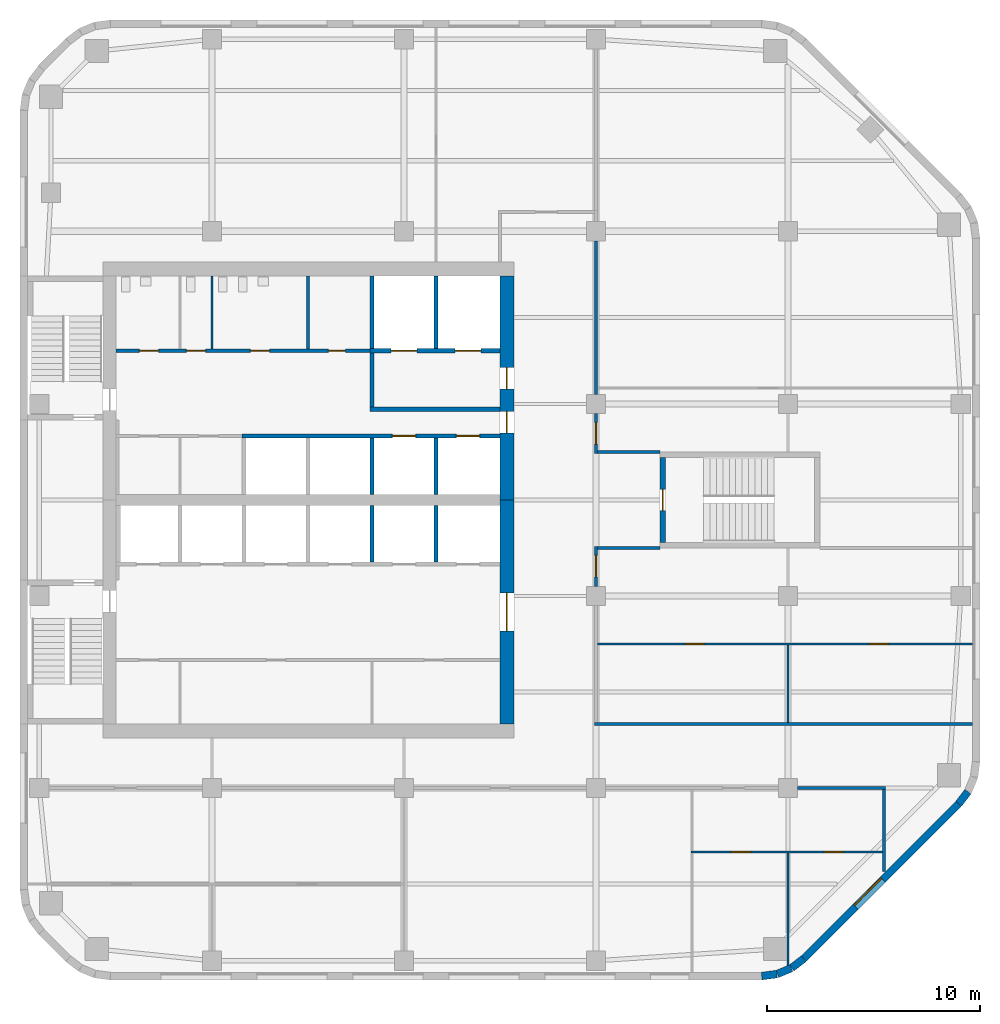
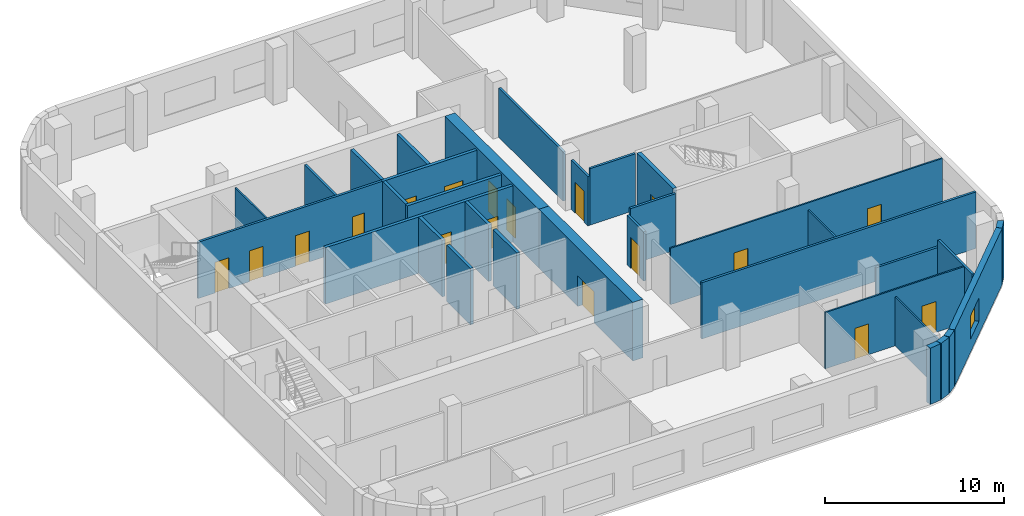
# One storey, part 4 of 7: 33 walls, 18 doors, 1 window, 19 openings.
"""IFC4 building model written with IfcOpenShell, lengths in metres."""

from ifc_helpers import new_model, si_unit, direction, frame, frame_2d, origin, place, context, subcontext, project, spatial, rectangle, extrude, material, layer, layer_set, type_object, element, fill, save


model = new_model("IFC4")

# Units and contexts
model_context = context("Model", 3, precision=1e-05, world=origin(), true_north=direction((0.0, 1.0)))
body_context = subcontext(model_context, "Body", "Model", "MODEL_VIEW")
ifc_project = project(units=[si_unit("LENGTHUNIT", "METRE"), si_unit("AREAUNIT", "SQUARE_METRE"), si_unit("VOLUMEUNIT", "CUBIC_METRE"), si_unit("PLANEANGLEUNIT", "RADIAN"), si_unit("MASSUNIT", "GRAM", prefix="KILO")], contexts=[model_context])

# Site, building, storey
site_placement = place(None, origin())
site = spatial("IfcSite", under=ifc_project, at=site_placement, CompositionType="ELEMENT")
building_placement = place(site_placement, origin())
building = spatial("IfcBuilding", under=site, at=building_placement, Name="Cinnabar Reach Civic Tower", CompositionType="ELEMENT")
storey_placement = place(building_placement, frame((0.0, 0.0, 169.0)))
storey = spatial("IfcBuildingStorey", under=building, at=storey_placement, Name="L40", CompositionType="ELEMENT", Elevation=169.0)

# Walls
ifc_material_1 = material(Name="Facing brick with insulated backing", Category="masonry")
ifc_layer_1 = layer(ifc_material_1, 0.36)
ifc_layer_set_1 = layer_set([ifc_layer_1], Name="Brick corner wall")
wall_type_1 = type_object("IfcWallType", Name="Brick corner wall", PredefinedType="STANDARD", material=ifc_layer_set_1)
for number, where, z_axis, x_axis, name in (
    (1, (34.7686, 9.183, 0.0), (0.0, 0.0, 1.0), (0.99144092581, 0.13055608231, 0.0), "Brick corner wall"),
    (2, (35.4973, 9.2819, 0.0), (0.0, 0.0, 1.0), (0.923871547278, 0.382702709855, 0.0), "Brick corner wall"),
):
    element("IfcWall", number, at=place(storey_placement, frame(where, z_axis=z_axis, x_axis=x_axis)), inside=storey, type_object=wall_type_1, Name=name, PredefinedType="STANDARD", context=body_context, shape_type="SweptSolid", body=[
        extrude(rectangle(XDim=0.7131, YDim=0.36, at=frame_2d((0.3565, 0.0))), origin(), (0.0, 0.0, 1.0), 3.85),
    ])
for number, where, z_axis, x_axis, name in (
    (3, (36.1755, 9.566, 0.0), (0.0, 0.0, 1.0), (0.793321924995, 0.608802368033, 0.0), "Brick corner wall"),
    (4, (43.9998, 17.2587, 0.0), (0.0, 0.0, 1.0), (0.608802368033, 0.793321924995, 0.0), "Brick corner wall"),
):
    element("IfcWall", number, at=place(storey_placement, frame(where, z_axis=z_axis, x_axis=x_axis)), inside=storey, type_object=wall_type_1, Name=name, PredefinedType="STANDARD", context=body_context, shape_type="SweptSolid", body=[
        extrude(rectangle(XDim=0.7132, YDim=0.36, at=frame_2d((0.3566, 0.0))), origin(), (0.0, 0.0, 1.0), 3.85),
    ])

# Wall, opening, window
ifc_layer_2 = layer(ifc_material_1, 0.36)
ifc_layer_set_2 = layer_set([ifc_layer_2], Name="Brick pier and spandrel wall")
wall_type_2 = type_object("IfcWallType", Name="Brick pier and spandrel wall", PredefinedType="STANDARD", material=ifc_layer_set_2)
wall_1_placement = place(storey_placement, frame((36.7514, 10.006, 0.0), z_axis=(0.0, 0.0, 1.0), x_axis=(0.707106781187, 0.707106781187, 0.0)))
wall_1 = element("IfcWall", 5, at=wall_1_placement, inside=storey, type_object=wall_type_2, Name="Brick facade wall", PredefinedType="STANDARD", context=body_context, shape_type="SweptSolid", body=[
    extrude(rectangle(XDim=10.2426, YDim=0.36, at=frame_2d((5.1213, 0.0))), origin(), (0.0, 0.0, 1.0), 3.85),
])
opening_1_placement = place(wall_1_placement, frame((3.4213, 0.0, 0.9)))
opening_1 = element("IfcOpeningElement", 6, at=opening_1_placement, cuts=wall_1, Name="Opening W1827", PredefinedType="OPENING", context=body_context, shape_type="SweptSolid", body=[
    extrude(rectangle(XDim=1.8, YDim=1.6, at=frame_2d((0.9, 0.8))), frame((0.0, 0.19, 0.0), z_axis=(0.0, -1.0, 0.0), x_axis=(1.0, 0.0, 0.0)), (0.0, 0.0, 1.0), 0.38),
])
ifc_material_2 = material(Name="Clear double glazing in aluminium frame", Category="aluminium")
window_type = type_object("IfcWindowType", Name="Deep-set window D", PartitioningType="SINGLE_PANEL", PredefinedType="WINDOW", material=ifc_material_2)
window_placement = place(opening_1_placement, origin())
window = element("IfcWindow", 7, at=window_placement, inside=storey, type_object=window_type, Name="Window southeast face", OverallHeight=1.6, OverallWidth=1.8, PartitioningType="SINGLE_PANEL", PredefinedType="WINDOW", context=body_context, shape_type="SweptSolid", body=[
    extrude(rectangle(XDim=1.8, YDim=1.6, at=frame_2d((0.9, 0.8))), frame((0.0, 0.13, 0.0), z_axis=(0.0, -1.0, 0.0), x_axis=(1.0, 0.0, 0.0)), (0.0, 0.0, 1.0), 0.06),
])
fill(opening_1, window)

# Wall, opening, door
ifc_material_3 = material(Name="Concrete C70", Category="concrete")
ifc_layer_3 = layer(ifc_material_3, 0.65)
ifc_layer_set_3 = layer_set([ifc_layer_3], Name="Core wall 650 EI 180")
wall_type_3 = type_object("IfcWallType", Name="Core wall 650 EI 180", PredefinedType="SOLIDWALL", material=ifc_layer_set_3)
wall_2_placement = place(storey_placement, frame((22.825, 21.0, 0.0), z_axis=(0.0, 0.0, 1.0), x_axis=(0.0, 1.0, 0.0)))
wall_2 = element("IfcWall", 8, at=wall_2_placement, inside=storey, type_object=wall_type_3, Name="Core wall T1 L40 E", PredefinedType="SOLIDWALL", context=body_context, shape_type="SweptSolid", body=[
    extrude(rectangle(XDim=10.5, YDim=0.65, at=frame_2d((5.25, 0.0))), origin(), (0.0, 0.0, 1.0), 4.0),
])
opening_2_placement = place(wall_2_placement, frame((4.35, 0.0, 0.0)))
opening_2 = element("IfcOpeningElement", 9, at=opening_2_placement, cuts=wall_2, Name="Opening D4640", PredefinedType="OPENING", context=body_context, shape_type="SweptSolid", body=[
    extrude(rectangle(XDim=1.8, YDim=2.1, at=frame_2d((0.9, 1.05))), frame((0.0, 0.335, 0.0), z_axis=(0.0, -1.0, 0.0), x_axis=(1.0, 0.0, 0.0)), (0.0, 0.0, 1.0), 0.67),
])
ifc_material_4 = material(Name="Timber door leaf in steel frame", Category="steel")
door_type_1 = type_object("IfcDoorType", Name="Double swing door 1800 x 2100 T1", OperationType="DOUBLE_DOOR_DOUBLE_SWING", PredefinedType="DOOR", material=ifc_material_4)
door_1_placement = place(opening_2_placement, origin())
door_1 = element("IfcDoor", 10, at=door_1_placement, inside=storey, type_object=door_type_1, Name="Door D4640", OperationType="DOUBLE_DOOR_DOUBLE_SWING", OverallHeight=2.1, OverallWidth=1.8, PredefinedType="DOOR", context=body_context, shape_type="SweptSolid", body=[
    extrude(rectangle(XDim=1.8, YDim=2.1, at=frame_2d((0.9, 1.05))), frame((0.0, 0.025, 0.0), z_axis=(0.0, -1.0, 0.0), x_axis=(1.0, 0.0, 0.0)), (0.0, 0.0, 1.0), 0.05),
])
fill(opening_2, door_1)

# Wall, openings, doors
wall_3_placement = place(storey_placement, frame((22.825, 31.5, 0.0), z_axis=(0.0, 0.0, 1.0), x_axis=(0.0, 1.0, 0.0)))
wall_3 = element("IfcWall", 11, at=wall_3_placement, inside=storey, type_object=wall_type_3, Name="Core wall T1 L40 E2", PredefinedType="SOLIDWALL", context=body_context, shape_type="SweptSolid", body=[
    extrude(rectangle(XDim=10.5, YDim=0.65, at=frame_2d((5.25, 0.0))), origin(), (0.0, 0.0, 1.0), 4.0),
])
opening_3_placement = place(wall_3_placement, frame((3.15, 0.0, 0.0)))
opening_3 = element("IfcOpeningElement", 12, at=opening_3_placement, cuts=wall_3, Name="Opening D4641", PredefinedType="OPENING", context=body_context, shape_type="SweptSolid", body=[
    extrude(rectangle(XDim=1.0, YDim=2.1, at=frame_2d((0.5, 1.05))), frame((0.0, 0.335, 0.0), z_axis=(0.0, -1.0, 0.0), x_axis=(1.0, 0.0, 0.0)), (0.0, 0.0, 1.0), 0.67),
])
opening_4_placement = place(wall_3_placement, frame((5.2, 0.0, 0.0)))
opening_4 = element("IfcOpeningElement", 13, at=opening_4_placement, cuts=wall_3, Name="Opening D4642", PredefinedType="OPENING", context=body_context, shape_type="SweptSolid", body=[
    extrude(rectangle(XDim=1.0, YDim=2.1, at=frame_2d((0.5, 1.05))), frame((0.0, 0.335, 0.0), z_axis=(0.0, -1.0, 0.0), x_axis=(1.0, 0.0, 0.0)), (0.0, 0.0, 1.0), 0.67),
])
door_type_2 = type_object("IfcDoorType", Name="Firefighting lobby door 1000 x 2100 T1", OperationType="SINGLE_SWING_LEFT", PredefinedType="DOOR", material=ifc_material_4)
door_2_placement = place(opening_4_placement, origin())
door_2 = element("IfcDoor", 14, at=door_2_placement, inside=storey, type_object=door_type_2, Name="Door D4642", OperationType="SINGLE_SWING_RIGHT", OverallHeight=2.1, OverallWidth=1.0, PredefinedType="DOOR", context=body_context, shape_type="SweptSolid", body=[
    extrude(rectangle(XDim=1.0, YDim=2.1, at=frame_2d((0.5, 1.05))), frame((0.0, 0.025, 0.0), z_axis=(0.0, -1.0, 0.0), x_axis=(1.0, 0.0, 0.0)), (0.0, 0.0, 1.0), 0.05),
])
fill(opening_4, door_2)
door_type_3 = type_object("IfcDoorType", Name="Single swing door 1000 x 2100 T1", OperationType="SINGLE_SWING_LEFT", PredefinedType="DOOR", material=ifc_material_4)
door_3_placement = place(opening_3_placement, origin())
door_3 = element("IfcDoor", 15, at=door_3_placement, inside=storey, type_object=door_type_3, Name="Door D4641", OperationType="SINGLE_SWING_RIGHT", OverallHeight=2.1, OverallWidth=1.0, PredefinedType="DOOR", context=body_context, shape_type="SweptSolid", body=[
    extrude(rectangle(XDim=1.0, YDim=2.1, at=frame_2d((0.5, 1.05))), frame((0.0, 0.025, 0.0), z_axis=(0.0, -1.0, 0.0), x_axis=(1.0, 0.0, 0.0)), (0.0, 0.0, 1.0), 0.05),
])
fill(opening_3, door_3)

# Walls
ifc_material_5 = material(Name="Gypsum board on steel studs, double layer", Category="steel")
ifc_layer_4 = layer(ifc_material_5, 0.15)
ifc_layer_set_4 = layer_set([ifc_layer_4], Name="Corridor wall 150 T1")
wall_type_4 = type_object("IfcWallType", Name="Corridor wall 150 T1", PredefinedType="PARTITIONING", material=ifc_layer_set_4)
wall_4_placement = place(storey_placement, frame((36.45, 18.0, 0.0), z_axis=(0.0, 0.0, 1.0), x_axis=(1.0, 0.0, 0.0)))
element("IfcWall", 16, at=wall_4_placement, inside=storey, type_object=wall_type_4, Name="Corridor wall 22", PredefinedType="PARTITIONING", context=body_context, shape_type="SweptSolid", body=[
    extrude(rectangle(XDim=4.1249, YDim=0.15, at=frame_2d((2.0625, 0.0))), origin(), (0.0, 0.0, 1.0), 3.35),
])
wall_5_placement = place(storey_placement, frame((26.925, 21.0, 0.0), z_axis=(0.0, 0.0, 1.0), x_axis=(1.0, 0.0, 0.0)))
element("IfcWall", 17, at=wall_5_placement, inside=storey, type_object=wall_type_4, Name="Corridor wall 24", PredefinedType="PARTITIONING", context=body_context, shape_type="SweptSolid", body=[
    extrude(rectangle(XDim=17.715, YDim=0.15, at=frame_2d((8.8575, 0.0))), origin(), (0.0, 0.0, 1.0), 3.85),
])

# Wall, openings, doors
wall_6_placement = place(storey_placement, frame((4.5, 38.5, 0.0), z_axis=(0.0, 0.0, 1.0), x_axis=(1.0, 0.0, 0.0)))
wall_6 = element("IfcWall", 18, at=wall_6_placement, inside=storey, type_object=wall_type_4, Name="Corridor wall 25", PredefinedType="PARTITIONING", context=body_context, shape_type="SweptSolid", body=[
    extrude(rectangle(XDim=11.9, YDim=0.15, at=frame_2d((5.95, 0.0))), origin(), (0.0, 0.0, 1.0), 3.85),
])
opening_5_placement = place(wall_6_placement, frame((1.1, 0.0, 0.0)))
opening_5 = element("IfcOpeningElement", 19, at=opening_5_placement, cuts=wall_6, Name="Opening D4649", PredefinedType="OPENING", context=body_context, shape_type="SweptSolid", body=[
    extrude(rectangle(XDim=0.9, YDim=2.1, at=frame_2d((0.45, 1.05))), frame((0.0, 0.085, 0.0), z_axis=(0.0, -1.0, 0.0), x_axis=(1.0, 0.0, 0.0)), (0.0, 0.0, 1.0), 0.17),
])
opening_6_placement = place(wall_6_placement, frame((3.3, 0.0, 0.0)))
opening_6 = element("IfcOpeningElement", 20, at=opening_6_placement, cuts=wall_6, Name="Opening D4650", PredefinedType="OPENING", context=body_context, shape_type="SweptSolid", body=[
    extrude(rectangle(XDim=0.9, YDim=2.1, at=frame_2d((0.45, 1.05))), frame((0.0, 0.085, 0.0), z_axis=(0.0, -1.0, 0.0), x_axis=(1.0, 0.0, 0.0)), (0.0, 0.0, 1.0), 0.17),
])
opening_7_placement = place(wall_6_placement, frame((6.3, 0.0, 0.0)))
opening_7 = element("IfcOpeningElement", 21, at=opening_7_placement, cuts=wall_6, Name="Opening D4651", PredefinedType="OPENING", context=body_context, shape_type="SweptSolid", body=[
    extrude(rectangle(XDim=0.9, YDim=2.1, at=frame_2d((0.45, 1.05))), frame((0.0, 0.085, 0.0), z_axis=(0.0, -1.0, 0.0), x_axis=(1.0, 0.0, 0.0)), (0.0, 0.0, 1.0), 0.17),
])
opening_8_placement = place(wall_6_placement, frame((9.95, 0.0, 0.0)))
opening_8 = element("IfcOpeningElement", 22, at=opening_8_placement, cuts=wall_6, Name="Opening D4652", PredefinedType="OPENING", context=body_context, shape_type="SweptSolid", body=[
    extrude(rectangle(XDim=0.8, YDim=2.1, at=frame_2d((0.4, 1.05))), frame((0.0, 0.085, 0.0), z_axis=(0.0, -1.0, 0.0), x_axis=(1.0, 0.0, 0.0)), (0.0, 0.0, 1.0), 0.17),
])
door_type_4 = type_object("IfcDoorType", Name="Riser access door 800 x 2100 T1", OperationType="SINGLE_SWING_LEFT", PredefinedType="DOOR", material=ifc_material_4)
door_4_placement = place(opening_8_placement, origin())
door_4 = element("IfcDoor", 23, at=door_4_placement, inside=storey, type_object=door_type_4, Name="Door D4652", OperationType="SINGLE_SWING_RIGHT", OverallHeight=2.1, OverallWidth=0.8, PredefinedType="DOOR", context=body_context, shape_type="SweptSolid", body=[
    extrude(rectangle(XDim=0.8, YDim=2.1, at=frame_2d((0.4, 1.05))), frame((0.0, 0.025, 0.0), z_axis=(0.0, -1.0, 0.0), x_axis=(1.0, 0.0, 0.0)), (0.0, 0.0, 1.0), 0.05),
])
fill(opening_8, door_4)
door_type_5 = type_object("IfcDoorType", Name="Single swing door 900 x 2100 corridor T1", OperationType="SINGLE_SWING_LEFT", PredefinedType="DOOR", material=ifc_material_4)
door_5_placement = place(opening_5_placement, origin())
door_5 = element("IfcDoor", 24, at=door_5_placement, inside=storey, type_object=door_type_5, Name="Door D4649", OperationType="SINGLE_SWING_LEFT", OverallHeight=2.1, OverallWidth=0.9, PredefinedType="DOOR", context=body_context, shape_type="SweptSolid", body=[
    extrude(rectangle(XDim=0.9, YDim=2.1, at=frame_2d((0.45, 1.05))), frame((0.0, 0.025, 0.0), z_axis=(0.0, -1.0, 0.0), x_axis=(1.0, 0.0, 0.0)), (0.0, 0.0, 1.0), 0.05),
])
fill(opening_5, door_5)
door_6_placement = place(opening_6_placement, origin())
door_6 = element("IfcDoor", 25, at=door_6_placement, inside=storey, type_object=door_type_5, Name="Door D4650", OperationType="SINGLE_SWING_LEFT", OverallHeight=2.1, OverallWidth=0.9, PredefinedType="DOOR", context=body_context, shape_type="SweptSolid", body=[
    extrude(rectangle(XDim=0.9, YDim=2.1, at=frame_2d((0.45, 1.05))), frame((0.0, 0.025, 0.0), z_axis=(0.0, -1.0, 0.0), x_axis=(1.0, 0.0, 0.0)), (0.0, 0.0, 1.0), 0.05),
])
fill(opening_6, door_6)
door_7_placement = place(opening_7_placement, origin())
door_7 = element("IfcDoor", 26, at=door_7_placement, inside=storey, type_object=door_type_5, Name="Door D4651", OperationType="SINGLE_SWING_LEFT", OverallHeight=2.1, OverallWidth=0.9, PredefinedType="DOOR", context=body_context, shape_type="SweptSolid", body=[
    extrude(rectangle(XDim=0.9, YDim=2.1, at=frame_2d((0.45, 1.05))), frame((0.0, 0.025, 0.0), z_axis=(0.0, -1.0, 0.0), x_axis=(1.0, 0.0, 0.0)), (0.0, 0.0, 1.0), 0.05),
])
fill(opening_7, door_7)

# Wall, opening, door
wall_7_placement = place(storey_placement, frame((27.0, 33.675, 0.0), z_axis=(0.0, 0.0, 1.0), x_axis=(0.0, 1.0, 0.0)))
wall_7 = element("IfcWall", 27, at=wall_7_placement, inside=storey, type_object=wall_type_4, Name="Corridor wall 26", PredefinedType="PARTITIONING", context=body_context, shape_type="SweptSolid", body=[
    extrude(rectangle(XDim=1.875, YDim=0.15, at=frame_2d((0.9375, 0.0))), origin(), (0.0, 0.0, 1.0), 3.362),
])
opening_9_placement = place(wall_7_placement, frame((0.45, 0.0, 0.0)))
opening_9 = element("IfcOpeningElement", 28, at=opening_9_placement, cuts=wall_7, Name="Opening D4653", PredefinedType="OPENING", context=body_context, shape_type="SweptSolid", body=[
    extrude(rectangle(XDim=1.0, YDim=2.1, at=frame_2d((0.5, 1.05))), frame((0.0, 0.085, 0.0), z_axis=(0.0, -1.0, 0.0), x_axis=(1.0, 0.0, 0.0)), (0.0, 0.0, 1.0), 0.17),
])
door_type_6 = type_object("IfcDoorType", Name="Tenancy entrance door 1000 x 2100 T1", OperationType="SINGLE_SWING_LEFT", PredefinedType="DOOR", material=ifc_material_4)
door_8_placement = place(opening_9_placement, frame((1.0, 0.0, 0.0), z_axis=(0.0, 0.0, 1.0), x_axis=(-1.0, 0.0, 0.0)))
door_8 = element("IfcDoor", 29, at=door_8_placement, inside=storey, type_object=door_type_6, Name="Door D4653", OperationType="SINGLE_SWING_RIGHT", OverallHeight=2.1, OverallWidth=1.0, PredefinedType="DOOR", context=body_context, shape_type="SweptSolid", body=[
    extrude(rectangle(XDim=1.0, YDim=2.1, at=frame_2d((0.5, 1.05))), frame((0.0, 0.025, 0.0), z_axis=(0.0, -1.0, 0.0), x_axis=(1.0, 0.0, 0.0)), (0.0, 0.0, 1.0), 0.05),
])
fill(opening_9, door_8)

# Wall
wall_8_placement = place(storey_placement, frame((27.0, 36.45, 0.0), z_axis=(0.0, 0.0, 1.0), x_axis=(0.0, 1.0, 0.0)))
element("IfcWall", 30, at=wall_8_placement, inside=storey, type_object=wall_type_4, Name="Corridor wall 27", PredefinedType="PARTITIONING", context=body_context, shape_type="SweptSolid", body=[
    extrude(rectangle(XDim=7.2, YDim=0.15, at=frame_2d((3.6, 0.0))), origin(), (0.0, 0.0, 1.0), 3.362),
])

# Wall, opening, door
wall_9_placement = place(storey_placement, frame((27.0, 27.45, 0.0), z_axis=(0.0, 0.0, 1.0), x_axis=(0.0, 1.0, 0.0)))
wall_9 = element("IfcWall", 31, at=wall_9_placement, inside=storey, type_object=wall_type_4, Name="Corridor wall 30", PredefinedType="PARTITIONING", context=body_context, shape_type="SweptSolid", body=[
    extrude(rectangle(XDim=1.875, YDim=0.15, at=frame_2d((0.9375, 0.0))), origin(), (0.0, 0.0, 1.0), 3.362),
])
opening_10_placement = place(wall_9_placement, frame((0.45, 0.0, 0.0)))
opening_10 = element("IfcOpeningElement", 32, at=opening_10_placement, cuts=wall_9, Name="Opening D4655", PredefinedType="OPENING", context=body_context, shape_type="SweptSolid", body=[
    extrude(rectangle(XDim=1.0, YDim=2.1, at=frame_2d((0.5, 1.05))), frame((0.0, 0.085, 0.0), z_axis=(0.0, -1.0, 0.0), x_axis=(1.0, 0.0, 0.0)), (0.0, 0.0, 1.0), 0.17),
])
door_9_placement = place(opening_10_placement, frame((1.0, 0.0, 0.0), z_axis=(0.0, 0.0, 1.0), x_axis=(-1.0, 0.0, 0.0)))
door_9 = element("IfcDoor", 33, at=door_9_placement, inside=storey, type_object=door_type_6, Name="Door D4655", OperationType="SINGLE_SWING_LEFT", OverallHeight=2.1, OverallWidth=1.0, PredefinedType="DOOR", context=body_context, shape_type="SweptSolid", body=[
    extrude(rectangle(XDim=1.0, YDim=2.1, at=frame_2d((0.5, 1.05))), frame((0.0, 0.025, 0.0), z_axis=(0.0, -1.0, 0.0), x_axis=(1.0, 0.0, 0.0)), (0.0, 0.0, 1.0), 0.05),
])
fill(opening_10, door_9)

# Walls
wall_10_placement = place(storey_placement, frame((40.5, 14.084, 0.0), z_axis=(0.0, 0.0, 1.0), x_axis=(0.0, 1.0, 0.0)))
element("IfcWall", 34, at=wall_10_placement, inside=storey, type_object=wall_type_4, Name="Corridor wall 33", PredefinedType="PARTITIONING", context=body_context, shape_type="SweptSolid", body=[
    extrude(rectangle(XDim=3.841, YDim=0.15, at=frame_2d((1.9205, 0.0))), origin(), (0.0, 0.0, 1.0), 3.85),
])
for number, where, z_axis, x_axis, name in (
    (35, (27.075, 29.25, 0.0), (0.0, 0.0, 1.0), (1.0, 0.0, 0.0), "Corridor wall 36"),
    (36, (27.075, 33.75, 0.0), (0.0, 0.0, 1.0), (1.0, 0.0, 0.0), "Corridor wall 37"),
):
    element("IfcWall", number, at=place(storey_placement, frame(where, z_axis=z_axis, x_axis=x_axis)), inside=storey, type_object=wall_type_4, Name=name, PredefinedType="PARTITIONING", context=body_context, shape_type="SweptSolid", body=[
        extrude(rectangle(XDim=2.925, YDim=0.15, at=frame_2d((1.4625, 0.0))), origin(), (0.0, 0.0, 1.0), 3.85),
    ])

# Wall, openings, doors
ifc_material_6 = material(Name="Blockwork", Category="masonry")
ifc_layer_5 = layer(ifc_material_6, 0.2)
ifc_layer_set_5 = layer_set([ifc_layer_5], Name="Lift shaft wall 200 T1")
wall_type_5 = type_object("IfcWallType", Name="Lift shaft wall 200 T1", PredefinedType="PARTITIONING", material=ifc_layer_set_5)
wall_11_placement = place(storey_placement, frame((10.4, 34.5, 0.0), z_axis=(0.0, 0.0, 1.0), x_axis=(1.0, 0.0, 0.0)))
wall_11 = element("IfcWall", 37, at=wall_11_placement, inside=storey, type_object=wall_type_5, Name="Lift shaft wall 5", PredefinedType="PARTITIONING", context=body_context, shape_type="SweptSolid", body=[
    extrude(rectangle(XDim=12.1, YDim=0.2, at=frame_2d((6.05, 0.0))), origin(), (0.0, 0.0, 1.0), 3.85),
])
opening_11_placement = place(wall_11_placement, frame((7.05, 0.0, 0.0)))
opening_11 = element("IfcOpeningElement", 38, at=opening_11_placement, cuts=wall_11, Name="Opening D4636", PredefinedType="OPENING", context=body_context, shape_type="SweptSolid", body=[
    extrude(rectangle(XDim=1.1, YDim=2.1, at=frame_2d((0.55, 1.05))), frame((0.0, 0.11, 0.0), z_axis=(0.0, -1.0, 0.0), x_axis=(1.0, 0.0, 0.0)), (0.0, 0.0, 1.0), 0.22),
])
opening_12_placement = place(wall_11_placement, frame((10.05, 0.0, 0.0)))
opening_12 = element("IfcOpeningElement", 39, at=opening_12_placement, cuts=wall_11, Name="Opening D4637", PredefinedType="OPENING", context=body_context, shape_type="SweptSolid", body=[
    extrude(rectangle(XDim=1.1, YDim=2.1, at=frame_2d((0.55, 1.05))), frame((0.0, 0.11, 0.0), z_axis=(0.0, -1.0, 0.0), x_axis=(1.0, 0.0, 0.0)), (0.0, 0.0, 1.0), 0.22),
])
ifc_material_7 = material(Name="Stainless steel sliding door", Category="steel")
door_type_7 = type_object("IfcDoorType", Name="Lift landing door 1100 x 2100 T1", OperationType="SLIDING_TO_LEFT", PredefinedType="DOOR", material=ifc_material_7)
door_10_placement = place(opening_11_placement, origin())
door_10 = element("IfcDoor", 40, at=door_10_placement, inside=storey, type_object=door_type_7, Name="Lift landing door SV1 L40", OperationType="SLIDING_TO_LEFT", OverallHeight=2.1, OverallWidth=1.1, PredefinedType="DOOR", context=body_context, shape_type="SweptSolid", body=[
    extrude(rectangle(XDim=1.1, YDim=2.1, at=frame_2d((0.55, 1.05))), frame((0.0, 0.025, 0.0), z_axis=(0.0, -1.0, 0.0), x_axis=(1.0, 0.0, 0.0)), (0.0, 0.0, 1.0), 0.05),
])
fill(opening_11, door_10)
door_11_placement = place(opening_12_placement, origin())
door_11 = element("IfcDoor", 41, at=door_11_placement, inside=storey, type_object=door_type_7, Name="Lift landing door SV2 L40", OperationType="SLIDING_TO_LEFT", OverallHeight=2.1, OverallWidth=1.1, PredefinedType="DOOR", context=body_context, shape_type="SweptSolid", body=[
    extrude(rectangle(XDim=1.1, YDim=2.1, at=frame_2d((0.55, 1.05))), frame((0.0, 0.025, 0.0), z_axis=(0.0, -1.0, 0.0), x_axis=(1.0, 0.0, 0.0)), (0.0, 0.0, 1.0), 0.05),
])
fill(opening_12, door_11)

# Walls
for number, where, z_axis, x_axis, name in (
    (42, (16.5, 28.6, 0.0), (0.0, 0.0, 1.0), (0.0, 1.0, 0.0), "Lift shaft wall 10"),
    (43, (16.5, 31.75, 0.0), (0.0, 0.0, 1.0), (0.0, 1.0, 0.0), "Lift shaft wall 11"),
    (44, (19.5, 28.6, 0.0), (0.0, 0.0, 1.0), (0.0, 1.0, 0.0), "Lift shaft wall 12"),
    (45, (19.5, 31.75, 0.0), (0.0, 0.0, 1.0), (0.0, 1.0, 0.0), "Lift shaft wall 13"),
):
    element("IfcWall", number, at=place(storey_placement, frame(where, z_axis=z_axis, x_axis=x_axis)), inside=storey, type_object=wall_type_5, Name=name, PredefinedType="PARTITIONING", context=body_context, shape_type="SweptSolid", body=[
        extrude(rectangle(XDim=2.65, YDim=0.2, at=frame_2d((1.325, 0.0))), origin(), (0.0, 0.0, 1.0), 3.85),
    ])
for number, where, z_axis, x_axis, name in (
    (46, (16.5, 38.6, 0.0), (0.0, 0.0, 1.0), (0.0, 1.0, 0.0), "Lift shaft wall 14"),
    (47, (19.5, 38.6, 0.0), (0.0, 0.0, 1.0), (0.0, 1.0, 0.0), "Lift shaft wall 15"),
):
    element("IfcWall", number, at=place(storey_placement, frame(where, z_axis=z_axis, x_axis=x_axis)), inside=storey, type_object=wall_type_5, Name=name, PredefinedType="PARTITIONING", context=body_context, shape_type="SweptSolid", body=[
        extrude(rectangle(XDim=3.4, YDim=0.2, at=frame_2d((1.7, 0.0))), origin(), (0.0, 0.0, 1.0), 3.85),
    ])

# Wall, openings, doors
ifc_material_8 = material(Name="Gypsum board on steel studs", Category="steel")
ifc_layer_6 = layer(ifc_material_8, 0.1)
ifc_layer_set_6 = layer_set([ifc_layer_6], Name="Partition wall 100 T1")
wall_type_6 = type_object("IfcWallType", Name="Partition wall 100 T1", PredefinedType="PARTITIONING", material=ifc_layer_set_6)
wall_12_placement = place(storey_placement, frame((27.075, 24.75, 0.0), z_axis=(0.0, 0.0, 1.0), x_axis=(1.0, 0.0, 0.0)))
wall_12 = element("IfcWall", 48, at=wall_12_placement, inside=storey, type_object=wall_type_6, Name="Partition wall 44", PredefinedType="PARTITIONING", context=body_context, shape_type="SweptSolid", body=[
    extrude(rectangle(XDim=17.565, YDim=0.1, at=frame_2d((8.7825, 0.0))), origin(), (0.0, 0.0, 1.0), 3.85),
])
opening_13_placement = place(wall_12_placement, frame((4.1, 0.0, 0.0)))
opening_13 = element("IfcOpeningElement", 49, at=opening_13_placement, cuts=wall_12, Name="Opening D4656", PredefinedType="OPENING", context=body_context, shape_type="SweptSolid", body=[
    extrude(rectangle(XDim=0.9, YDim=2.1, at=frame_2d((0.45, 1.05))), frame((0.0, 0.06, 0.0), z_axis=(0.0, -1.0, 0.0), x_axis=(1.0, 0.0, 0.0)), (0.0, 0.0, 1.0), 0.12),
])
opening_14_placement = place(wall_12_placement, frame((12.725, 0.0, 0.0)))
opening_14 = element("IfcOpeningElement", 50, at=opening_14_placement, cuts=wall_12, Name="Opening D4657", PredefinedType="OPENING", context=body_context, shape_type="SweptSolid", body=[
    extrude(rectangle(XDim=0.9, YDim=2.1, at=frame_2d((0.45, 1.05))), frame((0.0, 0.06, 0.0), z_axis=(0.0, -1.0, 0.0), x_axis=(1.0, 0.0, 0.0)), (0.0, 0.0, 1.0), 0.12),
])
door_type_8 = type_object("IfcDoorType", Name="Single swing door 900 x 2100 T1", OperationType="SINGLE_SWING_LEFT", PredefinedType="DOOR", material=ifc_material_4)
door_12_placement = place(opening_13_placement, frame((0.9, 0.0, 0.0), z_axis=(0.0, 0.0, 1.0), x_axis=(-1.0, 0.0, 0.0)))
door_12 = element("IfcDoor", 51, at=door_12_placement, inside=storey, type_object=door_type_8, Name="Door D4656", OperationType="SINGLE_SWING_LEFT", OverallHeight=2.1, OverallWidth=0.9, PredefinedType="DOOR", context=body_context, shape_type="SweptSolid", body=[
    extrude(rectangle(XDim=0.9, YDim=2.1, at=frame_2d((0.45, 1.05))), frame((0.0, 0.025, 0.0), z_axis=(0.0, -1.0, 0.0), x_axis=(1.0, 0.0, 0.0)), (0.0, 0.0, 1.0), 0.05),
])
fill(opening_13, door_12)
door_13_placement = place(opening_14_placement, frame((0.9, 0.0, 0.0), z_axis=(0.0, 0.0, 1.0), x_axis=(-1.0, 0.0, 0.0)))
door_13 = element("IfcDoor", 52, at=door_13_placement, inside=storey, type_object=door_type_8, Name="Door D4657", OperationType="SINGLE_SWING_LEFT", OverallHeight=2.1, OverallWidth=0.9, PredefinedType="DOOR", context=body_context, shape_type="SweptSolid", body=[
    extrude(rectangle(XDim=0.9, YDim=2.1, at=frame_2d((0.45, 1.05))), frame((0.0, 0.025, 0.0), z_axis=(0.0, -1.0, 0.0), x_axis=(1.0, 0.0, 0.0)), (0.0, 0.0, 1.0), 0.05),
])
fill(opening_14, door_13)

wall_13_placement = place(storey_placement, frame((31.45, 15.0, 0.0), z_axis=(0.0, 0.0, 1.0), x_axis=(1.0, 0.0, 0.0)))
wall_13 = element("IfcWall", 53, at=wall_13_placement, inside=storey, type_object=wall_type_6, Name="Partition wall 47", PredefinedType="PARTITIONING", context=body_context, shape_type="SweptSolid", body=[
    extrude(rectangle(XDim=8.975, YDim=0.1, at=frame_2d((4.4875, 0.0))), origin(), (0.0, 0.0, 1.0), 3.85),
])
opening_15_placement = place(wall_13_placement, frame((1.9, 0.0, 0.0)))
opening_15 = element("IfcOpeningElement", 54, at=opening_15_placement, cuts=wall_13, Name="Opening D4663", PredefinedType="OPENING", context=body_context, shape_type="SweptSolid", body=[
    extrude(rectangle(XDim=0.9, YDim=2.1, at=frame_2d((0.45, 1.05))), frame((0.0, 0.06, 0.0), z_axis=(0.0, -1.0, 0.0), x_axis=(1.0, 0.0, 0.0)), (0.0, 0.0, 1.0), 0.12),
])
opening_16_placement = place(wall_13_placement, frame((6.25, 0.0, 0.0)))
opening_16 = element("IfcOpeningElement", 55, at=opening_16_placement, cuts=wall_13, Name="Opening D4664", PredefinedType="OPENING", context=body_context, shape_type="SweptSolid", body=[
    extrude(rectangle(XDim=0.9, YDim=2.1, at=frame_2d((0.45, 1.05))), frame((0.0, 0.06, 0.0), z_axis=(0.0, -1.0, 0.0), x_axis=(1.0, 0.0, 0.0)), (0.0, 0.0, 1.0), 0.12),
])
door_14_placement = place(opening_15_placement, frame((0.9, 0.0, 0.0), z_axis=(0.0, 0.0, 1.0), x_axis=(-1.0, 0.0, 0.0)))
door_14 = element("IfcDoor", 56, at=door_14_placement, inside=storey, type_object=door_type_8, Name="Door D4663", OperationType="SINGLE_SWING_LEFT", OverallHeight=2.1, OverallWidth=0.9, PredefinedType="DOOR", context=body_context, shape_type="SweptSolid", body=[
    extrude(rectangle(XDim=0.9, YDim=2.1, at=frame_2d((0.45, 1.05))), frame((0.0, 0.025, 0.0), z_axis=(0.0, -1.0, 0.0), x_axis=(1.0, 0.0, 0.0)), (0.0, 0.0, 1.0), 0.05),
])
fill(opening_15, door_14)
door_15_placement = place(opening_16_placement, frame((0.9, 0.0, 0.0), z_axis=(0.0, 0.0, 1.0), x_axis=(-1.0, 0.0, 0.0)))
door_15 = element("IfcDoor", 57, at=door_15_placement, inside=storey, type_object=door_type_8, Name="Door D4664", OperationType="SINGLE_SWING_LEFT", OverallHeight=2.1, OverallWidth=0.9, PredefinedType="DOOR", context=body_context, shape_type="SweptSolid", body=[
    extrude(rectangle(XDim=0.9, YDim=2.1, at=frame_2d((0.45, 1.05))), frame((0.0, 0.025, 0.0), z_axis=(0.0, -1.0, 0.0), x_axis=(1.0, 0.0, 0.0)), (0.0, 0.0, 1.0), 0.05),
])
fill(opening_16, door_15)

# Walls
wall_14_placement = place(storey_placement, frame((36.0, 9.685, 0.0), z_axis=(0.0, 0.0, 1.0), x_axis=(0.0, 1.0, 0.0)))
element("IfcWall", 58, at=wall_14_placement, inside=storey, type_object=wall_type_6, Name="Partition wall 52", PredefinedType="PARTITIONING", context=body_context, shape_type="SweptSolid", body=[
    extrude(rectangle(XDim=5.265, YDim=0.1, at=frame_2d((2.6325, 0.0))), origin(), (0.0, 0.0, 1.0), 3.35),
])
wall_15_placement = place(storey_placement, frame((36.0, 21.075, 0.0), z_axis=(0.0, 0.0, 1.0), x_axis=(0.0, 1.0, 0.0)))
element("IfcWall", 59, at=wall_15_placement, inside=storey, type_object=wall_type_6, Name="Partition wall 54", PredefinedType="PARTITIONING", context=body_context, shape_type="SweptSolid", body=[
    extrude(rectangle(XDim=3.625, YDim=0.1, at=frame_2d((1.8125, 0.0))), origin(), (0.0, 0.0, 1.0), 3.362),
])
wall_16_placement = place(storey_placement, frame((9.0, 38.575, 0.0), z_axis=(0.0, 0.0, 1.0), x_axis=(0.0, 1.0, 0.0)))
element("IfcWall", 60, at=wall_16_placement, inside=storey, type_object=wall_type_6, Name="Partition wall 56", PredefinedType="PARTITIONING", context=body_context, shape_type="SweptSolid", body=[
    extrude(rectangle(XDim=3.425, YDim=0.1, at=frame_2d((1.7125, 0.0))), origin(), (0.0, 0.0, 1.0), 3.85),
])
ifc_material_9 = material(Name="Concrete C40", Category="concrete")
ifc_layer_7 = layer(ifc_material_9, 0.2)
ifc_layer_set_7 = layer_set([ifc_layer_7], Name="Refuge compartment wall 200 T1")
wall_type_7 = type_object("IfcWallType", Name="Refuge compartment wall 200 T1", PredefinedType="PARTITIONING", material=ifc_layer_set_7)
wall_17_placement = place(storey_placement, frame((16.4, 35.75, 0.0), z_axis=(0.0, 0.0, 1.0), x_axis=(1.0, 0.0, 0.0)))
element("IfcWall", 61, at=wall_17_placement, inside=storey, type_object=wall_type_7, Name="Refuge compartment wall 1", PredefinedType="PARTITIONING", context=body_context, shape_type="SweptSolid", body=[
    extrude(rectangle(XDim=6.1, YDim=0.2, at=frame_2d((3.05, 0.0))), origin(), (0.0, 0.0, 1.0), 3.85),
])

# Wall, openings, doors
wall_18_placement = place(storey_placement, frame((16.4, 38.5, 0.0), z_axis=(0.0, 0.0, 1.0), x_axis=(1.0, 0.0, 0.0)))
wall_18 = element("IfcWall", 62, at=wall_18_placement, inside=storey, type_object=wall_type_7, Name="Refuge compartment wall 2", PredefinedType="PARTITIONING", context=body_context, shape_type="SweptSolid", body=[
    extrude(rectangle(XDim=6.1, YDim=0.2, at=frame_2d((3.05, 0.0))), origin(), (0.0, 0.0, 1.0), 3.85),
])
opening_17_placement = place(wall_18_placement, frame((1.0, 0.0, 0.0)))
opening_17 = element("IfcOpeningElement", 63, at=opening_17_placement, cuts=wall_18, Name="Opening D4638", PredefinedType="OPENING", context=body_context, shape_type="SweptSolid", body=[
    extrude(rectangle(XDim=1.2, YDim=2.1, at=frame_2d((0.6, 1.05))), frame((0.0, 0.11, 0.0), z_axis=(0.0, -1.0, 0.0), x_axis=(1.0, 0.0, 0.0)), (0.0, 0.0, 1.0), 0.22),
])
opening_18_placement = place(wall_18_placement, frame((4.0, 0.0, 0.0)))
opening_18 = element("IfcOpeningElement", 64, at=opening_18_placement, cuts=wall_18, Name="Opening D4639", PredefinedType="OPENING", context=body_context, shape_type="SweptSolid", body=[
    extrude(rectangle(XDim=1.2, YDim=2.1, at=frame_2d((0.6, 1.05))), frame((0.0, 0.11, 0.0), z_axis=(0.0, -1.0, 0.0), x_axis=(1.0, 0.0, 0.0)), (0.0, 0.0, 1.0), 0.22),
])
door_type_9 = type_object("IfcDoorType", Name="Firefighting lift landing door 1200 x 2100 T1", OperationType="SLIDING_TO_LEFT", PredefinedType="DOOR", material=ifc_material_7)
door_16_placement = place(opening_17_placement, origin())
door_16 = element("IfcDoor", 65, at=door_16_placement, inside=storey, type_object=door_type_9, Name="Lift landing door FF1 L40", OperationType="SLIDING_TO_LEFT", OverallHeight=2.1, OverallWidth=1.2, PredefinedType="DOOR", context=body_context, shape_type="SweptSolid", body=[
    extrude(rectangle(XDim=1.2, YDim=2.1, at=frame_2d((0.6, 1.05))), frame((0.0, 0.025, 0.0), z_axis=(0.0, -1.0, 0.0), x_axis=(1.0, 0.0, 0.0)), (0.0, 0.0, 1.0), 0.05),
])
fill(opening_17, door_16)
door_17_placement = place(opening_18_placement, origin())
door_17 = element("IfcDoor", 66, at=door_17_placement, inside=storey, type_object=door_type_9, Name="Lift landing door FF2 L40", OperationType="SLIDING_TO_LEFT", OverallHeight=2.1, OverallWidth=1.2, PredefinedType="DOOR", context=body_context, shape_type="SweptSolid", body=[
    extrude(rectangle(XDim=1.2, YDim=2.1, at=frame_2d((0.6, 1.05))), frame((0.0, 0.025, 0.0), z_axis=(0.0, -1.0, 0.0), x_axis=(1.0, 0.0, 0.0)), (0.0, 0.0, 1.0), 0.05),
])
fill(opening_18, door_17)

# Walls
wall_19_placement = place(storey_placement, frame((16.5, 35.85, 0.0), z_axis=(0.0, 0.0, 1.0), x_axis=(0.0, 1.0, 0.0)))
element("IfcWall", 67, at=wall_19_placement, inside=storey, type_object=wall_type_7, Name="Refuge compartment wall 3", PredefinedType="PARTITIONING", context=body_context, shape_type="SweptSolid", body=[
    extrude(rectangle(XDim=2.55, YDim=0.2, at=frame_2d((1.275, 0.0))), origin(), (0.0, 0.0, 1.0), 3.85),
])
ifc_layer_8 = layer(ifc_material_6, 0.15)
ifc_layer_set_8 = layer_set([ifc_layer_8], Name="Riser wall 150 T1")
wall_type_8 = type_object("IfcWallType", Name="Riser wall 150 T1", PredefinedType="PARTITIONING", material=ifc_layer_set_8)
wall_20_placement = place(storey_placement, frame((13.5, 38.575, 0.0), z_axis=(0.0, 0.0, 1.0), x_axis=(0.0, 1.0, 0.0)))
element("IfcWall", 68, at=wall_20_placement, inside=storey, type_object=wall_type_8, Name="Riser wall 40", PredefinedType="PARTITIONING", context=body_context, shape_type="SweptSolid", body=[
    extrude(rectangle(XDim=3.425, YDim=0.15, at=frame_2d((1.7125, 0.0))), origin(), (0.0, 0.0, 1.0), 3.85),
])

# Wall, opening, door
ifc_material_10 = material(Name="Concrete C60", Category="concrete")
ifc_layer_9 = layer(ifc_material_10, 0.25)
ifc_layer_set_9 = layer_set([ifc_layer_9], Name="Stair shaft wall 250 EI 120")
wall_type_9 = type_object("IfcWallType", Name="Stair shaft wall 250 EI 120", PredefinedType="SOLIDWALL", material=ifc_layer_set_9)
wall_21_placement = place(storey_placement, frame((30.125, 33.5, 0.0), z_axis=(0.0, 0.0, 1.0), x_axis=(0.0, -1.0, 0.0)))
wall_21 = element("IfcWall", 69, at=wall_21_placement, inside=storey, type_object=wall_type_9, Name="Stair shaft wall T1-S3 L40", PredefinedType="SOLIDWALL", context=body_context, shape_type="SweptSolid", body=[
    extrude(rectangle(XDim=4.0, YDim=0.25, at=frame_2d((2.0, 0.0))), origin(), (0.0, 0.0, 1.0), 4.0),
])
opening_19_placement = place(wall_21_placement, frame((1.5, 0.0, 0.0)))
opening_19 = element("IfcOpeningElement", 70, at=opening_19_placement, cuts=wall_21, Name="Opening D4643", PredefinedType="OPENING", context=body_context, shape_type="SweptSolid", body=[
    extrude(rectangle(XDim=1.0, YDim=2.1, at=frame_2d((0.5, 1.05))), frame((0.0, 0.135, 0.0), z_axis=(0.0, -1.0, 0.0), x_axis=(1.0, 0.0, 0.0)), (0.0, 0.0, 1.0), 0.27),
])
door_type_10 = type_object("IfcDoorType", Name="Stair door 1000 x 2100 T1", OperationType="SINGLE_SWING_LEFT", PredefinedType="DOOR", material=ifc_material_4)
door_18_placement = place(opening_19_placement, origin())
door_18 = element("IfcDoor", 71, at=door_18_placement, inside=storey, type_object=door_type_10, Name="Door D4643", OperationType="SINGLE_SWING_RIGHT", OverallHeight=2.1, OverallWidth=1.0, PredefinedType="DOOR", context=body_context, shape_type="SweptSolid", body=[
    extrude(rectangle(XDim=1.0, YDim=2.1, at=frame_2d((0.5, 1.05))), frame((0.0, 0.025, 0.0), z_axis=(0.0, -1.0, 0.0), x_axis=(1.0, 0.0, 0.0)), (0.0, 0.0, 1.0), 0.05),
])
fill(opening_19, door_18)

save(model, "model.ifc")
